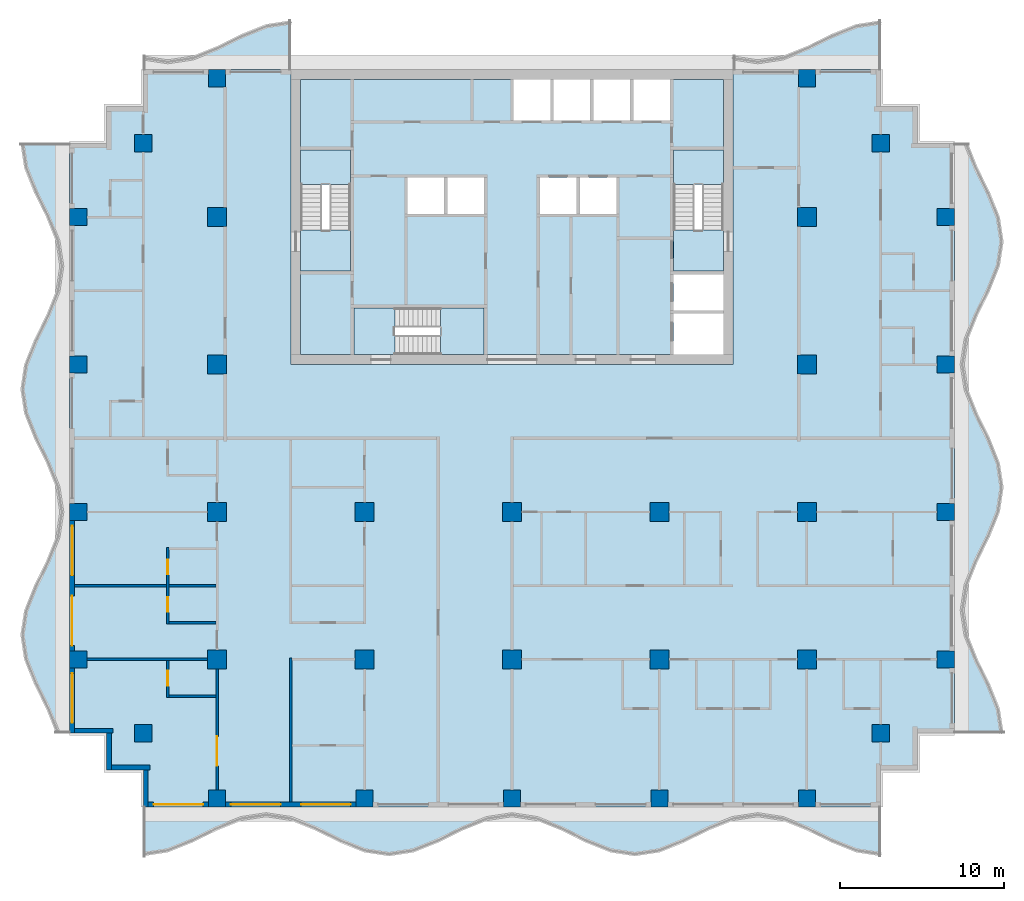
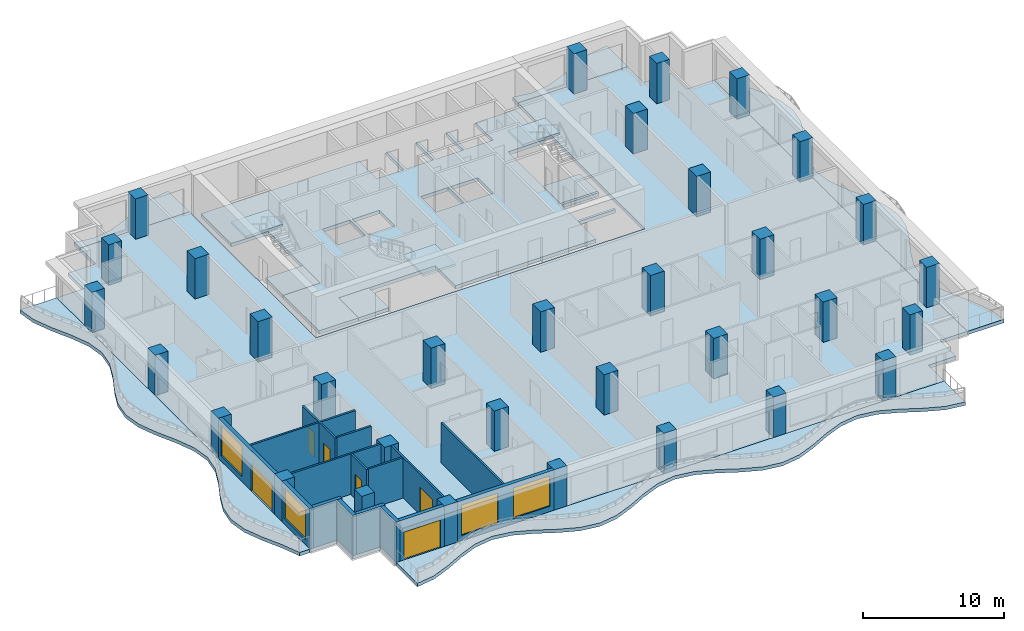
# One storey, part 1 of 11: 33 columns, 17 walls, 13 slabs, 6 doors, 4 windows, 10 openings, 3 elements without a shape of their own.
"""IFC4 building model written with IfcOpenShell, lengths in metres."""

from ifc_helpers import new_model, si_unit, direction, frame, frame_2d, origin, origin_2d, place, context, subcontext, project, spatial, polyline, rectangle, outline, extrude, material, layer, layer_set, material_profile, profile_set, type_object, element, fill, aggregate, save


model = new_model("IFC4")

# Units and contexts
model_context = context("Model", 3, precision=1e-05, world=origin(), true_north=direction((0.0, 1.0)))
body_context = subcontext(model_context, "Body", "Model", "MODEL_VIEW")
ifc_project = project(units=[si_unit("LENGTHUNIT", "METRE"), si_unit("AREAUNIT", "SQUARE_METRE"), si_unit("VOLUMEUNIT", "CUBIC_METRE"), si_unit("PLANEANGLEUNIT", "RADIAN"), si_unit("MASSUNIT", "GRAM", prefix="KILO")], contexts=[model_context])

# Site, building, storey
site_placement = place(None, origin())
site = spatial("IfcSite", under=ifc_project, at=site_placement, CompositionType="ELEMENT")
building_placement = place(site_placement, origin())
building = spatial("IfcBuilding", under=site, at=building_placement, Name="Orbiselva Terraces", CompositionType="ELEMENT")
storey_placement = place(building_placement, frame((0.0, 0.0, 188.2)))
storey = spatial("IfcBuildingStorey", under=building, at=storey_placement, Name="L47", CompositionType="ELEMENT", Elevation=188.2)

# Columns
ifc_material_1 = material(Name="Concrete C60/75", Category="concrete")
ifc_material_profile_1 = material_profile(ifc_material_1, rectangle(XDim=1.15, YDim=1.15, at=origin_2d()), Name="RC 1150x1150")
ifc_profile_set_1 = profile_set([ifc_material_profile_1], Name="Concrete C60/75")
column_type_1 = type_object("IfcColumnType", Name="COLUMN RC 1150x1150", PredefinedType="COLUMN", material=ifc_profile_set_1)
for number, where, z_axis, x_axis, name in (
    (1, (-18.0, -13.5, 0.0), (0.0, 0.0, 1.0), (1.0, 0.0, 0.0), "Column L47-01"),
    (2, (-18.0, -4.5, 0.0), (0.0, 0.0, 1.0), (1.0, 0.0, 0.0), "Column L47-03"),
    (3, (-18.0, 13.5, 0.0), (0.0, 0.0, 1.0), (1.0, 0.0, 0.0), "Column L47-04"),
    (4, (-18.0, 4.5, 0.0), (0.0, 0.0, 1.0), (1.0, 0.0, 0.0), "Column L47-06"),
    (5, (-9.0, -13.5, 0.0), (0.0, 0.0, 1.0), (1.0, 0.0, 0.0), "Column L47-13"),
    (6, (-9.0, -4.5, 0.0), (0.0, 0.0, 1.0), (1.0, 0.0, 0.0), "Column L47-15"),
    (7, (0.0, -13.5, 0.0), (0.0, 0.0, 1.0), (1.0, 0.0, 0.0), "Column L47-16"),
    (8, (0.0, -4.5, 0.0), (0.0, 0.0, 1.0), (1.0, 0.0, 0.0), "Column L47-18"),
    (9, (18.0, -13.5, 0.0), (0.0, 0.0, 1.0), (1.0, 0.0, 0.0), "Column L47-19"),
    (10, (18.0, -4.5, 0.0), (0.0, 0.0, 1.0), (1.0, 0.0, 0.0), "Column L47-21"),
    (11, (18.0, 13.5, 0.0), (0.0, 0.0, 1.0), (1.0, 0.0, 0.0), "Column L47-22"),
    (12, (18.0, 4.5, 0.0), (0.0, 0.0, 1.0), (1.0, 0.0, 0.0), "Column L47-24"),
    (13, (9.0, -13.5, 0.0), (0.0, 0.0, 1.0), (1.0, 0.0, 0.0), "Column L47-31"),
    (14, (9.0, -4.5, 0.0), (0.0, 0.0, 1.0), (1.0, 0.0, 0.0), "Column L47-33"),
):
    element("IfcColumn", number, at=place(storey_placement, frame(where, z_axis=z_axis, x_axis=x_axis)), inside=storey, type_object=column_type_1, Name=name, PredefinedType="COLUMN", context=body_context, shape_type="SweptSolid", body=[
        extrude(rectangle(XDim=1.15, YDim=1.15, at=origin_2d()), origin(), (0.0, 0.0, 1.0), 3.5),
    ])
ifc_material_2 = material(Name="Concrete C50/60", Category="concrete")
ifc_material_profile_2 = material_profile(ifc_material_2, rectangle(XDim=1.05, YDim=1.05, at=origin_2d()), Name="RC 1050x1050")
ifc_profile_set_2 = profile_set([ifc_material_profile_2], Name="Concrete C50/60")
column_type_2 = type_object("IfcColumnType", Name="PERIMETER COLUMN RC 1050x1050", PredefinedType="COLUMN", material=ifc_profile_set_2)
for number, where, z_axis, x_axis, name in (
    (15, (-18.0, -21.975, 0.0), (0.0, 0.0, 1.0), (1.0, 0.0, 0.0), "Column L47-02"),
    (16, (-18.0, 21.975, 0.0), (0.0, 0.0, 1.0), (1.0, 0.0, 0.0), "Column L47-05"),
    (17, (-26.475, -13.5, 0.0), (0.0, 0.0, 1.0), (1.0, 0.0, 0.0), "Column L47-07"),
    (18, (-22.5, -18.0, 0.0), (0.0, 0.0, 1.0), (1.0, 0.0, 0.0), "Column L47-08"),
    (19, (-26.475, -4.5, 0.0), (0.0, 0.0, 1.0), (1.0, 0.0, 0.0), "Column L47-09"),
    (20, (-26.475, 13.5, 0.0), (0.0, 0.0, 1.0), (1.0, 0.0, 0.0), "Column L47-10"),
    (21, (-22.5, 18.0, 0.0), (0.0, 0.0, 1.0), (1.0, 0.0, 0.0), "Column L47-11"),
    (22, (-26.475, 4.5, 0.0), (0.0, 0.0, 1.0), (1.0, 0.0, 0.0), "Column L47-12"),
    (23, (-9.0, -21.975, 0.0), (0.0, 0.0, 1.0), (1.0, 0.0, 0.0), "Column L47-14"),
    (24, (0.0, -21.975, 0.0), (0.0, 0.0, 1.0), (1.0, 0.0, 0.0), "Column L47-17"),
    (25, (18.0, -21.975, 0.0), (0.0, 0.0, 1.0), (1.0, 0.0, 0.0), "Column L47-20"),
    (26, (18.0, 21.975, 0.0), (0.0, 0.0, 1.0), (1.0, 0.0, 0.0), "Column L47-23"),
    (27, (26.475, -13.5, 0.0), (0.0, 0.0, 1.0), (1.0, 0.0, 0.0), "Column L47-25"),
    (28, (22.5, -18.0, 0.0), (0.0, 0.0, 1.0), (1.0, 0.0, 0.0), "Column L47-26"),
    (29, (26.475, -4.5, 0.0), (0.0, 0.0, 1.0), (1.0, 0.0, 0.0), "Column L47-27"),
    (30, (26.475, 13.5, 0.0), (0.0, 0.0, 1.0), (1.0, 0.0, 0.0), "Column L47-28"),
    (31, (22.5, 18.0, 0.0), (0.0, 0.0, 1.0), (1.0, 0.0, 0.0), "Column L47-29"),
    (32, (26.475, 4.5, 0.0), (0.0, 0.0, 1.0), (1.0, 0.0, 0.0), "Column L47-30"),
    (33, (9.0, -21.975, 0.0), (0.0, 0.0, 1.0), (1.0, 0.0, 0.0), "Column L47-32"),
):
    element("IfcColumn", number, at=place(storey_placement, frame(where, z_axis=z_axis, x_axis=x_axis)), inside=storey, type_object=column_type_2, Name=name, PredefinedType="COLUMN", context=body_context, shape_type="SweptSolid", body=[
        extrude(rectangle(XDim=1.05, YDim=1.05, at=origin_2d()), origin(), (0.0, 0.0, 1.0), 3.5),
    ])

# Slabs
ifc_material_3 = material(Name="Concrete C40/50", Category="concrete")
ifc_layer_1 = layer(ifc_material_3, 0.3)
ifc_layer_set_1 = layer_set([ifc_layer_1], Name="Concrete C40/50")
slab_type_1 = type_object("IfcSlabType", Name="CORE-SLAB-FLOOR-300", PredefinedType="FLOOR", material=ifc_layer_set_1)
slab_1_placement = place(storey_placement, frame((0.0, 0.0, -0.3)))
element("IfcSlab", 34, at=slab_1_placement, inside=storey, type_object=slab_type_1, Name="L47 S1 floor landing", PredefinedType="FLOOR", context=body_context, shape_type="SweptSolid", body=[
    extrude(outline(polyline([(-12.9, 12.7), (-9.85, 12.7), (-9.85, 10.2), (-12.9, 10.2), (-12.9, 12.7)])), origin(), (0.0, 0.0, 1.0), 0.3),
])
slab_2_placement = place(storey_placement, frame((0.0, 0.0, -0.3)))
element("IfcSlab", 35, at=slab_2_placement, inside=storey, type_object=slab_type_1, Name="L47 S2 floor landing", PredefinedType="FLOOR", context=body_context, shape_type="SweptSolid", body=[
    extrude(outline(polyline([(12.9, 12.7), (12.9, 10.2), (9.85, 10.2), (9.85, 12.7), (12.9, 12.7)])), origin(), (0.0, 0.0, 1.0), 0.3),
])
slab_3_placement = place(storey_placement, frame((0.0, 0.0, -0.3)))
element("IfcSlab", 36, at=slab_3_placement, inside=storey, type_object=slab_type_1, Name="L47 S3 floor landing", PredefinedType="FLOOR", context=body_context, shape_type="SweptSolid", body=[
    extrude(outline(polyline([(-7.15, 5.1), (-9.65, 5.1), (-9.65, 7.95), (-7.15, 7.95), (-7.15, 5.1)])), origin(), (0.0, 0.0, 1.0), 0.3),
])
slab_4_placement = place(storey_placement, frame((0.0, 0.0, -0.3)))
element("IfcSlab", 37, at=slab_4_placement, inside=storey, type_object=slab_type_1, Name="L47 core floor slab 1", PredefinedType="FLOOR", context=body_context, shape_type="SweptSolid", body=[
    extrude(outline(polyline([(-1.7, 5.1), (-1.7, 7.95), (-9.65, 7.95), (-9.65, 5.1), (-12.9, 5.1), (-12.9, 10.2), (-9.85, 10.2), (-9.85, 17.6), (-12.9, 17.6), (-12.9, 21.9), (0.1, 21.9), (0.1, 19.4), (2.3375, 19.4), (2.3375, 21.9), (2.5375, 21.9), (2.5375, 19.4), (4.775, 19.4), (4.775, 21.9), (4.975, 21.9), (4.975, 19.4), (7.2125, 19.4), (7.2125, 21.9), (7.4125, 21.9), (7.4125, 19.4), (9.65, 19.4), (9.65, 21.9), (12.9, 21.9), (12.9, 17.6), (9.85, 17.6), (9.85, 10.2), (12.9, 10.2), (12.9, 10.0), (9.85, 10.0), (9.85, 7.8), (12.9, 7.8), (12.9, 7.6), (9.85, 7.6), (9.85, 5.1), (-1.7, 5.1)]), holes=[polyline([(-4.1375, 13.7), (-4.1375, 15.9), (-6.375, 15.9), (-6.375, 13.7), (-4.1375, 13.7)]), polyline([(-1.7, 13.7), (-1.7, 15.9), (-3.9375, 15.9), (-3.9375, 13.7), (-1.7, 13.7)]), polyline([(3.9375, 15.9), (1.7, 15.9), (1.7, 13.7), (3.9375, 13.7), (3.9375, 15.9)]), polyline([(6.375, 13.7), (6.375, 15.9), (4.1375, 15.9), (4.1375, 13.7), (6.375, 13.7)])]), origin(), (0.0, 0.0, 1.0), 0.3),
])

# Stair, slab
stair_type_1 = type_object("IfcStairType", Name="CORE-STAIR-1300", PredefinedType="HALF_TURN_STAIR", material=ifc_material_3)
stair_1_placement = place(storey_placement, origin())
stair_1 = element("IfcStair", 38, at=stair_1_placement, inside=storey, type_object=stair_type_1, Name="L47 Exit Stair S1", PredefinedType="HALF_TURN_STAIR")
ifc_layer_2 = layer(ifc_material_3, 0.2)
ifc_layer_set_2 = layer_set([ifc_layer_2], Name="Concrete C40/50")
slab_type_2 = type_object("IfcSlabType", Name="CORE-STAIR-LANDING-200", PredefinedType="LANDING", material=ifc_layer_set_2)
slab_5_placement = place(storey_placement, frame((0.0, 0.0, 1.7)))
slab_5 = element("IfcSlab", 39, at=slab_5_placement, type_object=slab_type_2, Name="S1 landing 1", PredefinedType="LANDING", context=body_context, shape_type="SweptSolid", body=[
    extrude(outline(polyline([(-9.85, 15.5), (-9.85, 17.6), (-12.9, 17.6), (-12.9, 15.5), (-9.85, 15.5)])), origin(), (0.0, 0.0, 1.0), 0.2),
])
aggregate(stair_1, [slab_5])

stair_2_placement = place(storey_placement, origin())
stair_2 = element("IfcStair", 40, at=stair_2_placement, inside=storey, type_object=stair_type_1, Name="L47 Exit Stair S2", PredefinedType="HALF_TURN_STAIR")
slab_6_placement = place(storey_placement, frame((0.0, 0.0, 1.7)))
slab_6 = element("IfcSlab", 41, at=slab_6_placement, type_object=slab_type_2, Name="S2 landing 1", PredefinedType="LANDING", context=body_context, shape_type="SweptSolid", body=[
    extrude(outline(polyline([(12.9, 15.5), (12.9, 17.6), (9.85, 17.6), (9.85, 15.5), (12.9, 15.5)])), origin(), (0.0, 0.0, 1.0), 0.2),
])
aggregate(stair_2, [slab_6])

stair_type_2 = type_object("IfcStairType", Name="CORE-STAIR-1200", PredefinedType="HALF_TURN_STAIR", material=ifc_material_3)
stair_3_placement = place(storey_placement, origin())
stair_3 = element("IfcStair", 42, at=stair_3_placement, inside=storey, type_object=stair_type_2, Name="L47 Exit Stair S3", PredefinedType="HALF_TURN_STAIR")
slab_7_placement = place(storey_placement, frame((0.0, 0.0, 1.7)))
slab_7 = element("IfcSlab", 43, at=slab_7_placement, type_object=slab_type_2, Name="S3 landing 1", PredefinedType="LANDING", context=body_context, shape_type="SweptSolid", body=[
    extrude(outline(polyline([(-4.35, 5.1), (-1.7, 5.1), (-1.7, 7.95), (-4.35, 7.95), (-4.35, 5.1)])), origin(), (0.0, 0.0, 1.0), 0.2),
])
aggregate(stair_3, [slab_7])

# Slabs
ifc_layer_3 = layer(ifc_material_2, 0.3)
ifc_layer_set_3 = layer_set([ifc_layer_3], Name="Concrete C50/60")
slab_type_3 = type_object("IfcSlabType", Name="ENV-BALCONY-SLAB-300", PredefinedType="FLOOR", material=ifc_layer_set_3)
slab_8_placement = place(storey_placement, frame((0.0, 0.0, -0.3)))
element("IfcSlab", 44, at=slab_8_placement, inside=storey, type_object=slab_type_3, Name="Balcony slab L47 S", PredefinedType="FLOOR", context=body_context, shape_type="SweptSolid", body=[
    extrude(outline(polyline([(-22.5, -25.5), (-21.0, -25.27082), (-19.5, -24.67082), (-18.0, -23.92918), (-16.5, -23.32918), (-15.0, -23.1), (-13.5, -23.32918), (-12.0, -23.92918), (-10.5, -24.67082), (-9.0, -25.27082), (-7.5, -25.5), (-6.0, -25.27082), (-4.5, -24.67082), (-3.0, -23.92918), (-1.5, -23.32918), (0.0, -23.1), (1.5, -23.32918), (3.0, -23.92918), (4.5, -24.67082), (6.0, -25.27082), (7.5, -25.5), (9.0, -25.27082), (10.5, -24.67082), (12.0, -23.92918), (13.5, -23.32918), (15.0, -23.1), (16.5, -23.32918), (18.0, -23.92918), (19.5, -24.67082), (21.0, -25.27082), (22.5, -25.5), (22.5, -22.5), (-22.5, -22.5), (-22.5, -25.5)])), origin(), (0.0, 0.0, 1.0), 0.3),
])
slab_9_placement = place(storey_placement, frame((0.0, 0.0, -0.3)))
element("IfcSlab", 45, at=slab_9_placement, inside=storey, type_object=slab_type_3, Name="Balcony slab L47 E", PredefinedType="FLOOR", context=body_context, shape_type="SweptSolid", body=[
    extrude(outline(polyline([(30.0, -18.0), (29.77082, -16.5), (29.17082, -15.0), (28.42918, -13.5), (27.82918, -12.0), (27.6, -10.5), (27.82918, -9.0), (28.42918, -7.5), (29.17082, -6.0), (29.77082, -4.5), (30.0, -3.0), (29.77082, -1.5), (29.17082, 0.0), (28.42918, 1.5), (27.82918, 3.0), (27.6, 4.5), (27.82918, 6.0), (28.42918, 7.5), (29.17082, 9.0), (29.77082, 10.5), (30.0, 12.0), (29.77082, 13.5), (29.17082, 15.0), (28.42918, 16.5), (27.82918, 18.0), (27.0, 18.0), (27.0, -18.0), (30.0, -18.0)])), origin(), (0.0, 0.0, 1.0), 0.3),
])
slab_10_placement = place(storey_placement, frame((0.0, 0.0, -0.3)))
element("IfcSlab", 46, at=slab_10_placement, inside=storey, type_object=slab_type_3, Name="Balcony slab L47 NE", PredefinedType="FLOOR", context=body_context, shape_type="SweptSolid", body=[
    extrude(outline(polyline([(22.5, 25.5), (21.0, 25.27082), (19.5, 24.67082), (18.0, 23.92918), (16.5, 23.32918), (15.0, 23.1), (13.5, 23.32918), (13.5, 22.5), (22.5, 22.5), (22.5, 25.5)])), origin(), (0.0, 0.0, 1.0), 0.3),
])
slab_11_placement = place(storey_placement, frame((0.0, 0.0, -0.3)))
element("IfcSlab", 47, at=slab_11_placement, inside=storey, type_object=slab_type_3, Name="Balcony slab L47 NW", PredefinedType="FLOOR", context=body_context, shape_type="SweptSolid", body=[
    extrude(outline(polyline([(-13.5, 25.5), (-15.0, 25.27082), (-16.5, 24.67082), (-18.0, 23.92918), (-19.5, 23.32918), (-21.0, 23.1), (-22.5, 23.32918), (-22.5, 22.5), (-13.5, 22.5), (-13.5, 25.5)])), origin(), (0.0, 0.0, 1.0), 0.3),
])
slab_12_placement = place(storey_placement, frame((0.0, 0.0, -0.3)))
element("IfcSlab", 48, at=slab_12_placement, inside=storey, type_object=slab_type_3, Name="Balcony slab L47 W", PredefinedType="FLOOR", context=body_context, shape_type="SweptSolid", body=[
    extrude(outline(polyline([(-30.0, 18.0), (-29.77082, 16.5), (-29.17082, 15.0), (-28.42918, 13.5), (-27.82918, 12.0), (-27.6, 10.5), (-27.82918, 9.0), (-28.42918, 7.5), (-29.17082, 6.0), (-29.77082, 4.5), (-30.0, 3.0), (-29.77082, 1.5), (-29.17082, 0.0), (-28.42918, -1.5), (-27.82918, -3.0), (-27.6, -4.5), (-27.82918, -6.0), (-28.42918, -7.5), (-29.17082, -9.0), (-29.77082, -10.5), (-30.0, -12.0), (-29.77082, -13.5), (-29.17082, -15.0), (-28.42918, -16.5), (-27.82918, -18.0), (-27.0, -18.0), (-27.0, 18.0), (-30.0, 18.0)])), origin(), (0.0, 0.0, 1.0), 0.3),
])
ifc_layer_4 = layer(ifc_material_2, 0.3)
ifc_layer_set_4 = layer_set([ifc_layer_4], Name="Concrete C50/60")
slab_type_4 = type_object("IfcSlabType", Name="FLOOR SLAB 300", PredefinedType="FLOOR", material=ifc_layer_set_4)
slab_13_placement = place(storey_placement, frame((0.0, 0.0, -0.3)))
element("IfcSlab", 49, at=slab_13_placement, inside=storey, type_object=slab_type_4, Name="Floor slab L47", PredefinedType="FLOOR", context=body_context, shape_type="SweptSolid", body=[
    extrude(outline(polyline([(22.5, 22.5), (22.5, 20.25), (24.75, 20.25), (24.75, 18.0), (27.0, 18.0), (27.0, -18.0), (24.75, -18.0), (24.75, -20.25), (22.5, -20.25), (22.5, -22.5), (-22.5, -22.5), (-22.5, -20.25), (-24.75, -20.25), (-24.75, -18.0), (-27.0, -18.0), (-27.0, 18.0), (-24.75, 18.0), (-24.75, 20.25), (-22.5, 20.25), (-22.5, 22.5), (-13.5, 22.5), (-13.5, 4.5), (13.5, 4.5), (13.5, 22.5), (22.5, 22.5)])), origin(), (0.0, 0.0, 1.0), 0.3),
])

# Wall, opening, door
ifc_material_4 = material(Name="Terracotta cladding on masonry backing", Category="masonry")
ifc_layer_5 = layer(ifc_material_4, 0.3)
ifc_layer_set_5 = layer_set([ifc_layer_5], Name="Terracotta cladding on masonry backing")
wall_type_1 = type_object("IfcWallType", Name="ENV-WALL-TERRACOTTA-300", PredefinedType="SOLIDWALL", material=ifc_layer_set_5)
wall_1_placement = place(storey_placement, frame((-18.525, -22.35, 0.0), z_axis=(0.0, 0.0, 1.0), x_axis=(-1.0, 0.0, 0.0)))
wall_1 = element("IfcWall", 50, at=wall_1_placement, inside=storey, type_object=wall_type_1, Name="Facade wall L47 S", PredefinedType="SOLIDWALL", context=body_context, shape_type="SweptSolid", body=[
    extrude(rectangle(XDim=3.675, YDim=0.3, at=frame_2d((1.8375, 0.0))), origin(), (0.0, 0.0, 1.0), 3.5),
])
opening_1_placement = place(wall_1_placement, frame((0.325, 0.0, 0.0)))
opening_1 = element("IfcOpeningElement", 51, at=opening_1_placement, cuts=wall_1, Name="Opening Z4-A-E01", PredefinedType="OPENING", context=body_context, shape_type="SweptSolid", body=[
    extrude(rectangle(XDim=3.025, YDim=2.4, at=frame_2d((1.5125, 1.2))), frame((0.0, 0.16, 0.0), z_axis=(0.0, -1.0, 0.0), x_axis=(1.0, 0.0, 0.0)), (0.0, 0.0, 1.0), 0.32),
])
ifc_material_5 = material(Name="Clear low-e glazing in aluminium frame", Category="aluminium")
door_type_1 = type_object("IfcDoorType", Name="BALCONY DOOR 3025 X 2400", OperationType="DOUBLE_DOOR_SLIDING", PredefinedType="DOOR", material=ifc_material_5)
door_1_placement = place(opening_1_placement, origin())
door_1 = element("IfcDoor", 52, at=door_1_placement, inside=storey, type_object=door_type_1, Name="Z4-A-E01", OperationType="SINGLE_SWING_LEFT", OverallHeight=2.4, OverallWidth=3.025, PredefinedType="DOOR", context=body_context, shape_type="SweptSolid", body=[
    extrude(rectangle(XDim=3.025, YDim=2.4, at=frame_2d((1.5125, 1.2))), frame((0.0, 0.025, 0.0), z_axis=(0.0, -1.0, 0.0), x_axis=(1.0, 0.0, 0.0)), (0.0, 0.0, 1.0), 0.05),
])
fill(opening_1, door_1)

# Wall, openings, windows
wall_2_placement = place(storey_placement, frame((-9.525, -22.35, 0.0), z_axis=(0.0, 0.0, 1.0), x_axis=(-1.0, 0.0, 0.0)))
wall_2 = element("IfcWall", 53, at=wall_2_placement, inside=storey, type_object=wall_type_1, Name="Facade wall L47 S", PredefinedType="SOLIDWALL", context=body_context, shape_type="SweptSolid", body=[
    extrude(rectangle(XDim=7.95, YDim=0.3, at=frame_2d((3.975, 0.0))), origin(), (0.0, 0.0, 1.0), 3.5),
])
opening_2_placement = place(wall_2_placement, frame((4.6, 0.0, 0.45)))
opening_2 = element("IfcOpeningElement", 54, at=opening_2_placement, cuts=wall_2, Name="Opening WN14", PredefinedType="OPENING", context=body_context, shape_type="SweptSolid", body=[
    extrude(rectangle(XDim=3.025, YDim=2.65, at=frame_2d((1.5125, 1.325))), frame((0.0, 0.16, 0.0), z_axis=(0.0, -1.0, 0.0), x_axis=(1.0, 0.0, 0.0)), (0.0, 0.0, 1.0), 0.32),
])
opening_3_placement = place(wall_2_placement, frame((0.325, 0.0, 0.45)))
opening_3 = element("IfcOpeningElement", 55, at=opening_3_placement, cuts=wall_2, Name="Opening WN14", PredefinedType="OPENING", context=body_context, shape_type="SweptSolid", body=[
    extrude(rectangle(XDim=3.025, YDim=2.65, at=frame_2d((1.5125, 1.325))), frame((0.0, 0.16, 0.0), z_axis=(0.0, -1.0, 0.0), x_axis=(1.0, 0.0, 0.0)), (0.0, 0.0, 1.0), 0.32),
])
window_type = type_object("IfcWindowType", Name="WINDOW 3025 X 2650 S450", PartitioningType="TRIPLE_PANEL_VERTICAL", PredefinedType="WINDOW", material=ifc_material_5)
window_1_placement = place(opening_2_placement, origin())
window_1 = element("IfcWindow", 56, at=window_1_placement, inside=storey, type_object=window_type, Name="Window L47 S", OverallHeight=2.65, OverallWidth=3.025, PartitioningType="SINGLE_PANEL", PredefinedType="WINDOW", context=body_context, shape_type="SweptSolid", body=[
    extrude(rectangle(XDim=3.025, YDim=2.65, at=frame_2d((1.5125, 1.325))), frame((0.0, 0.03, 0.0), z_axis=(0.0, -1.0, 0.0), x_axis=(1.0, 0.0, 0.0)), (0.0, 0.0, 1.0), 0.06),
])
fill(opening_2, window_1)
window_2_placement = place(opening_3_placement, origin())
window_2 = element("IfcWindow", 57, at=window_2_placement, inside=storey, type_object=window_type, Name="Window L47 S", OverallHeight=2.65, OverallWidth=3.025, PartitioningType="SINGLE_PANEL", PredefinedType="WINDOW", context=body_context, shape_type="SweptSolid", body=[
    extrude(rectangle(XDim=3.025, YDim=2.65, at=frame_2d((1.5125, 1.325))), frame((0.0, 0.03, 0.0), z_axis=(0.0, -1.0, 0.0), x_axis=(1.0, 0.0, 0.0)), (0.0, 0.0, 1.0), 0.06),
])
fill(opening_3, window_2)

# Wall, openings, door, window
wall_3_placement = place(storey_placement, frame((-26.85, -12.975, 0.0), z_axis=(0.0, 0.0, 1.0), x_axis=(0.0, 1.0, 0.0)))
wall_3 = element("IfcWall", 58, at=wall_3_placement, inside=storey, type_object=wall_type_1, Name="Facade wall L47 W", PredefinedType="SOLIDWALL", context=body_context, shape_type="SweptSolid", body=[
    extrude(rectangle(XDim=7.95, YDim=0.3, at=frame_2d((3.975, 0.0))), origin(), (0.0, 0.0, 1.0), 3.5),
])
opening_4_placement = place(wall_3_placement, frame((4.6, 0.0, 0.45)))
opening_4 = element("IfcOpeningElement", 59, at=opening_4_placement, cuts=wall_3, Name="Opening WN14", PredefinedType="OPENING", context=body_context, shape_type="SweptSolid", body=[
    extrude(rectangle(XDim=3.025, YDim=2.65, at=frame_2d((1.5125, 1.325))), frame((0.0, 0.16, 0.0), z_axis=(0.0, -1.0, 0.0), x_axis=(1.0, 0.0, 0.0)), (0.0, 0.0, 1.0), 0.32),
])
opening_5_placement = place(wall_3_placement, frame((0.325, 0.0, 0.0)))
opening_5 = element("IfcOpeningElement", 60, at=opening_5_placement, cuts=wall_3, Name="Opening Z4-A-E13", PredefinedType="OPENING", context=body_context, shape_type="SweptSolid", body=[
    extrude(rectangle(XDim=3.025, YDim=2.4, at=frame_2d((1.5125, 1.2))), frame((0.0, 0.16, 0.0), z_axis=(0.0, -1.0, 0.0), x_axis=(1.0, 0.0, 0.0)), (0.0, 0.0, 1.0), 0.32),
])
door_2_placement = place(opening_5_placement, origin())
door_2 = element("IfcDoor", 61, at=door_2_placement, inside=storey, type_object=door_type_1, Name="Z4-A-E13", OperationType="SINGLE_SWING_LEFT", OverallHeight=2.4, OverallWidth=3.025, PredefinedType="DOOR", context=body_context, shape_type="SweptSolid", body=[
    extrude(rectangle(XDim=3.025, YDim=2.4, at=frame_2d((1.5125, 1.2))), frame((0.0, 0.025, 0.0), z_axis=(0.0, -1.0, 0.0), x_axis=(1.0, 0.0, 0.0)), (0.0, 0.0, 1.0), 0.05),
])
fill(opening_5, door_2)
window_3_placement = place(opening_4_placement, origin())
window_3 = element("IfcWindow", 62, at=window_3_placement, inside=storey, type_object=window_type, Name="Window L47 W", OverallHeight=2.65, OverallWidth=3.025, PartitioningType="SINGLE_PANEL", PredefinedType="WINDOW", context=body_context, shape_type="SweptSolid", body=[
    extrude(rectangle(XDim=3.025, YDim=2.65, at=frame_2d((1.5125, 1.325))), frame((0.0, 0.03, 0.0), z_axis=(0.0, -1.0, 0.0), x_axis=(1.0, 0.0, 0.0)), (0.0, 0.0, 1.0), 0.06),
])
fill(opening_4, window_3)

# Wall, opening, window
wall_4_placement = place(storey_placement, frame((-26.85, -18.0, 0.0), z_axis=(0.0, 0.0, 1.0), x_axis=(0.0, 1.0, 0.0)))
wall_4 = element("IfcWall", 63, at=wall_4_placement, inside=storey, type_object=wall_type_1, Name="Facade wall L47 W", PredefinedType="SOLIDWALL", context=body_context, shape_type="SweptSolid", body=[
    extrude(rectangle(XDim=3.975, YDim=0.3, at=frame_2d((1.9875, 0.0))), origin(), (0.0, 0.0, 1.0), 3.5),
])
opening_6_placement = place(wall_4_placement, frame((0.625, 0.0, 0.45)))
opening_6 = element("IfcOpeningElement", 64, at=opening_6_placement, cuts=wall_4, Name="Opening WN14", PredefinedType="OPENING", context=body_context, shape_type="SweptSolid", body=[
    extrude(rectangle(XDim=3.025, YDim=2.65, at=frame_2d((1.5125, 1.325))), frame((0.0, 0.16, 0.0), z_axis=(0.0, -1.0, 0.0), x_axis=(1.0, 0.0, 0.0)), (0.0, 0.0, 1.0), 0.32),
])
window_4_placement = place(opening_6_placement, origin())
window_4 = element("IfcWindow", 65, at=window_4_placement, inside=storey, type_object=window_type, Name="Window L47 W", OverallHeight=2.65, OverallWidth=3.025, PartitioningType="SINGLE_PANEL", PredefinedType="WINDOW", context=body_context, shape_type="SweptSolid", body=[
    extrude(rectangle(XDim=3.025, YDim=2.65, at=frame_2d((1.5125, 1.325))), frame((0.0, 0.03, 0.0), z_axis=(0.0, -1.0, 0.0), x_axis=(1.0, 0.0, 0.0)), (0.0, 0.0, 1.0), 0.06),
])
fill(opening_6, window_4)

# Walls
wall_5_placement = place(storey_placement, frame((-24.35, -17.85, 0.0), z_axis=(0.0, 0.0, 1.0), x_axis=(-1.0, 0.0, 0.0)))
element("IfcWall", 66, at=wall_5_placement, inside=storey, type_object=wall_type_1, Name="Facade wall L47 STEP", PredefinedType="SOLIDWALL", context=body_context, shape_type="SweptSolid", body=[
    extrude(rectangle(XDim=2.35, YDim=0.3, at=frame_2d((1.175, 0.0))), origin(), (0.0, 0.0, 1.0), 3.5),
])
wall_6_placement = place(storey_placement, frame((-24.6, -20.25, 0.0), z_axis=(0.0, 0.0, 1.0), x_axis=(0.0, 1.0, 0.0)))
element("IfcWall", 67, at=wall_6_placement, inside=storey, type_object=wall_type_1, Name="Facade wall L47 STEP", PredefinedType="SOLIDWALL", context=body_context, shape_type="SweptSolid", body=[
    extrude(rectangle(XDim=2.25, YDim=0.3, at=frame_2d((1.125, 0.0))), origin(), (0.0, 0.0, 1.0), 3.5),
])
wall_7_placement = place(storey_placement, frame((-22.1, -20.1, 0.0), z_axis=(0.0, 0.0, 1.0), x_axis=(-1.0, 0.0, 0.0)))
element("IfcWall", 68, at=wall_7_placement, inside=storey, type_object=wall_type_1, Name="Facade wall L47 STEP", PredefinedType="SOLIDWALL", context=body_context, shape_type="SweptSolid", body=[
    extrude(rectangle(XDim=2.35, YDim=0.3, at=frame_2d((1.175, 0.0))), origin(), (0.0, 0.0, 1.0), 3.5),
])
wall_8_placement = place(storey_placement, frame((-22.35, -22.5, 0.0), z_axis=(0.0, 0.0, 1.0), x_axis=(0.0, 1.0, 0.0)))
element("IfcWall", 69, at=wall_8_placement, inside=storey, type_object=wall_type_1, Name="Facade wall L47 STEP", PredefinedType="SOLIDWALL", context=body_context, shape_type="SweptSolid", body=[
    extrude(rectangle(XDim=2.25, YDim=0.3, at=frame_2d((1.125, 0.0))), origin(), (0.0, 0.0, 1.0), 3.5),
])
ifc_material_6 = material(Name="Plasterboard on steel stud partition", Category="steel")
ifc_layer_6 = layer(ifc_material_6, 0.15)
ifc_layer_set_6 = layer_set([ifc_layer_6], Name="Plasterboard on steel stud partition")
wall_type_2 = type_object("IfcWallType", Name="UNIT-PARTITION-150", PredefinedType="PARTITIONING", material=ifc_layer_set_6)
wall_9_placement = place(storey_placement, frame((-20.925, -15.75, 0.0), z_axis=(0.0, 0.0, 1.0), x_axis=(1.0, 0.0, 0.0)))
element("IfcWall", 70, at=wall_9_placement, inside=storey, type_object=wall_type_2, Name="PARTITION L47-006", PredefinedType="PARTITIONING", context=body_context, shape_type="SweptSolid", body=[
    extrude(rectangle(XDim=2.85, YDim=0.15, at=frame_2d((1.425, 0.0))), origin(), (0.0, 0.0, 1.0), 3.5),
])
wall_10_placement = place(storey_placement, frame((-25.95, -13.5, 0.0), z_axis=(0.0, 0.0, 1.0), x_axis=(1.0, 0.0, 0.0)))
element("IfcWall", 71, at=wall_10_placement, inside=storey, type_object=wall_type_2, Name="PARTITION L47-007", PredefinedType="PARTITIONING", context=body_context, shape_type="SweptSolid", body=[
    extrude(rectangle(XDim=7.375, YDim=0.15, at=frame_2d((3.6875, 0.0))), origin(), (0.0, 0.0, 1.0), 3.5),
])
wall_11_placement = place(storey_placement, frame((-20.925, -11.25, 0.0), z_axis=(0.0, 0.0, 1.0), x_axis=(1.0, 0.0, 0.0)))
element("IfcWall", 72, at=wall_11_placement, inside=storey, type_object=wall_type_2, Name="PARTITION L47-012", PredefinedType="PARTITIONING", context=body_context, shape_type="SweptSolid", body=[
    extrude(rectangle(XDim=2.85, YDim=0.15, at=frame_2d((1.425, 0.0))), origin(), (0.0, 0.0, 1.0), 3.5),
])
wall_12_placement = place(storey_placement, frame((-26.7, -9.0, 0.0), z_axis=(0.0, 0.0, 1.0), x_axis=(1.0, 0.0, 0.0)))
element("IfcWall", 73, at=wall_12_placement, inside=storey, type_object=wall_type_2, Name="PARTITION L47-014", PredefinedType="PARTITIONING", context=body_context, shape_type="SweptSolid", body=[
    extrude(rectangle(XDim=5.625, YDim=0.15, at=frame_2d((2.8125, 0.0))), origin(), (0.0, 0.0, 1.0), 3.5),
])
wall_13_placement = place(storey_placement, frame((-20.925, -9.0, 0.0), z_axis=(0.0, 0.0, 1.0), x_axis=(1.0, 0.0, 0.0)))
element("IfcWall", 74, at=wall_13_placement, inside=storey, type_object=wall_type_2, Name="PARTITION L47-015", PredefinedType="PARTITIONING", context=body_context, shape_type="SweptSolid", body=[
    extrude(rectangle(XDim=2.85, YDim=0.15, at=frame_2d((1.425, 0.0))), origin(), (0.0, 0.0, 1.0), 3.5),
])

# Wall, opening, door
wall_14_placement = place(storey_placement, frame((-21.0, -13.575, 0.0), z_axis=(0.0, 0.0, 1.0), x_axis=(0.0, -1.0, 0.0)))
wall_14 = element("IfcWall", 75, at=wall_14_placement, inside=storey, type_object=wall_type_2, Name="PARTITION L47-044", PredefinedType="PARTITIONING", context=body_context, shape_type="SweptSolid", body=[
    extrude(rectangle(XDim=2.25, YDim=0.15, at=frame_2d((1.125, 0.0))), origin(), (0.0, 0.0, 1.0), 3.5),
])
opening_7_placement = place(wall_14_placement, frame((0.625, 0.0, 0.0)))
opening_7 = element("IfcOpeningElement", 76, at=opening_7_placement, cuts=wall_14, Name="Opening Z4-A-27", PredefinedType="OPENING", context=body_context, shape_type="SweptSolid", body=[
    extrude(rectangle(XDim=0.9, YDim=2.1, at=frame_2d((0.45, 1.05))), frame((0.0, 0.085, 0.0), z_axis=(0.0, -1.0, 0.0), x_axis=(1.0, 0.0, 0.0)), (0.0, 0.0, 1.0), 0.17),
])
ifc_material_7 = material(Name="Painted timber door leaf", Category="wood")
door_type_2 = type_object("IfcDoorType", Name="BATH DOOR 900", OperationType="NOTDEFINED", PredefinedType="DOOR", material=ifc_material_7)
door_3_placement = place(opening_7_placement, origin())
door_3 = element("IfcDoor", 77, at=door_3_placement, inside=storey, type_object=door_type_2, Name="Z4-A-27", OperationType="SINGLE_SWING_LEFT", OverallHeight=2.1, OverallWidth=0.9, PredefinedType="DOOR", context=body_context, shape_type="SweptSolid", body=[
    extrude(rectangle(XDim=0.9, YDim=2.1, at=frame_2d((0.45, 1.05))), frame((0.0, 0.025, 0.0), z_axis=(0.0, -1.0, 0.0), x_axis=(1.0, 0.0, 0.0)), (0.0, 0.0, 1.0), 0.05),
])
fill(opening_7, door_3)

# Wall, openings, doors
wall_15_placement = place(storey_placement, frame((-21.0, -6.675, 0.0), z_axis=(0.0, 0.0, 1.0), x_axis=(0.0, -1.0, 0.0)))
wall_15 = element("IfcWall", 78, at=wall_15_placement, inside=storey, type_object=wall_type_2, Name="PARTITION L47-045", PredefinedType="PARTITIONING", context=body_context, shape_type="SweptSolid", body=[
    extrude(rectangle(XDim=4.65, YDim=0.15, at=frame_2d((2.325, 0.0))), origin(), (0.0, 0.0, 1.0), 3.5),
])
opening_8_placement = place(wall_15_placement, frame((0.725, 0.0, 0.0)))
opening_8 = element("IfcOpeningElement", 79, at=opening_8_placement, cuts=wall_15, Name="Opening Z4-A-23", PredefinedType="OPENING", context=body_context, shape_type="SweptSolid", body=[
    extrude(rectangle(XDim=0.9, YDim=2.1, at=frame_2d((0.45, 1.05))), frame((0.0, 0.085, 0.0), z_axis=(0.0, -1.0, 0.0), x_axis=(1.0, 0.0, 0.0)), (0.0, 0.0, 1.0), 0.17),
])
opening_9_placement = place(wall_15_placement, frame((3.025, 0.0, 0.0)))
opening_9 = element("IfcOpeningElement", 80, at=opening_9_placement, cuts=wall_15, Name="Opening Z4-A-25", PredefinedType="OPENING", context=body_context, shape_type="SweptSolid", body=[
    extrude(rectangle(XDim=0.9, YDim=2.1, at=frame_2d((0.45, 1.05))), frame((0.0, 0.085, 0.0), z_axis=(0.0, -1.0, 0.0), x_axis=(1.0, 0.0, 0.0)), (0.0, 0.0, 1.0), 0.17),
])
door_4_placement = place(opening_8_placement, origin())
door_4 = element("IfcDoor", 81, at=door_4_placement, inside=storey, type_object=door_type_2, Name="Z4-A-23", OperationType="SINGLE_SWING_LEFT", OverallHeight=2.1, OverallWidth=0.9, PredefinedType="DOOR", context=body_context, shape_type="SweptSolid", body=[
    extrude(rectangle(XDim=0.9, YDim=2.1, at=frame_2d((0.45, 1.05))), frame((0.0, 0.025, 0.0), z_axis=(0.0, -1.0, 0.0), x_axis=(1.0, 0.0, 0.0)), (0.0, 0.0, 1.0), 0.05),
])
fill(opening_8, door_4)
door_5_placement = place(opening_9_placement, origin())
door_5 = element("IfcDoor", 82, at=door_5_placement, inside=storey, type_object=door_type_2, Name="Z4-A-25", OperationType="SINGLE_SWING_RIGHT", OverallHeight=2.1, OverallWidth=0.9, PredefinedType="DOOR", context=body_context, shape_type="SweptSolid", body=[
    extrude(rectangle(XDim=0.9, YDim=2.1, at=frame_2d((0.45, 1.05))), frame((0.0, 0.025, 0.0), z_axis=(0.0, -1.0, 0.0), x_axis=(1.0, 0.0, 0.0)), (0.0, 0.0, 1.0), 0.05),
])
fill(opening_9, door_5)

# Wall, opening, door
wall_16_placement = place(storey_placement, frame((-18.0, -21.45, 0.0), z_axis=(0.0, 0.0, 1.0), x_axis=(0.0, 1.0, 0.0)))
wall_16 = element("IfcWall", 83, at=wall_16_placement, inside=storey, type_object=wall_type_2, Name="PARTITION L47-047", PredefinedType="PARTITIONING", context=body_context, shape_type="SweptSolid", body=[
    extrude(rectangle(XDim=7.375, YDim=0.15, at=frame_2d((3.6875, 0.0))), origin(), (0.0, 0.0, 1.0), 3.5),
])
opening_10_placement = place(wall_16_placement, frame((1.45, 0.0, 0.0)))
opening_10 = element("IfcOpeningElement", 84, at=opening_10_placement, cuts=wall_16, Name="Opening Z4-A-26", PredefinedType="OPENING", context=body_context, shape_type="SweptSolid", body=[
    extrude(rectangle(XDim=1.8, YDim=2.4, at=frame_2d((0.9, 1.2))), frame((0.0, 0.085, 0.0), z_axis=(0.0, -1.0, 0.0), x_axis=(1.0, 0.0, 0.0)), (0.0, 0.0, 1.0), 0.17),
])
door_type_3 = type_object("IfcDoorType", Name="DOUBLE DOOR 1800", OperationType="NOTDEFINED", PredefinedType="DOOR", material=ifc_material_7)
door_6_placement = place(opening_10_placement, origin())
door_6 = element("IfcDoor", 85, at=door_6_placement, inside=storey, type_object=door_type_3, Name="Z4-A-26", OperationType="DOUBLE_DOOR_SINGLE_SWING", OverallHeight=2.4, OverallWidth=1.8, PredefinedType="DOOR", context=body_context, shape_type="SweptSolid", body=[
    extrude(rectangle(XDim=1.8, YDim=2.4, at=frame_2d((0.9, 1.2))), frame((0.0, 0.025, 0.0), z_axis=(0.0, -1.0, 0.0), x_axis=(1.0, 0.0, 0.0)), (0.0, 0.0, 1.0), 0.05),
])
fill(opening_10, door_6)

# Wall
wall_17_placement = place(storey_placement, frame((-13.5, -22.2, 0.0), z_axis=(0.0, 0.0, 1.0), x_axis=(0.0, 1.0, 0.0)))
element("IfcWall", 86, at=wall_17_placement, inside=storey, type_object=wall_type_2, Name="PARTITION L47-053", PredefinedType="PARTITIONING", context=body_context, shape_type="SweptSolid", body=[
    extrude(rectangle(XDim=8.775, YDim=0.15, at=frame_2d((4.3875, 0.0))), origin(), (0.0, 0.0, 1.0), 3.5),
])

save(model, "model.ifc")
